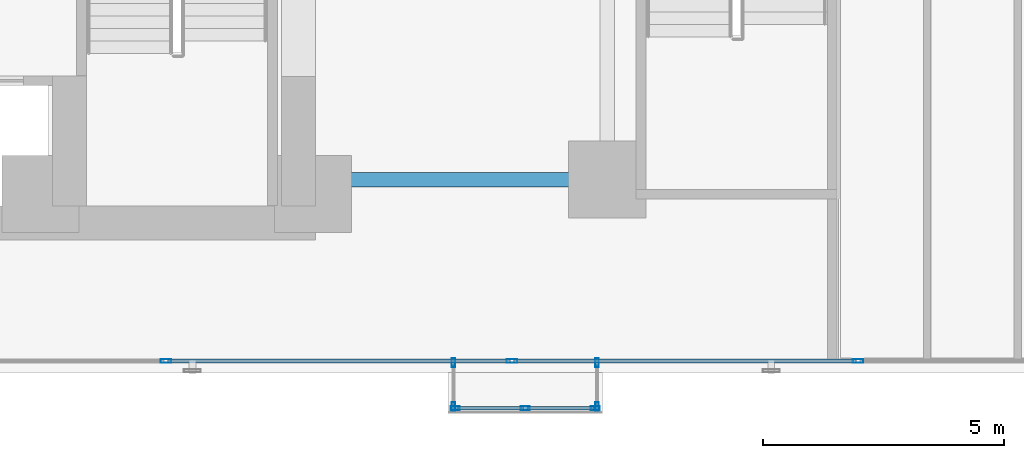
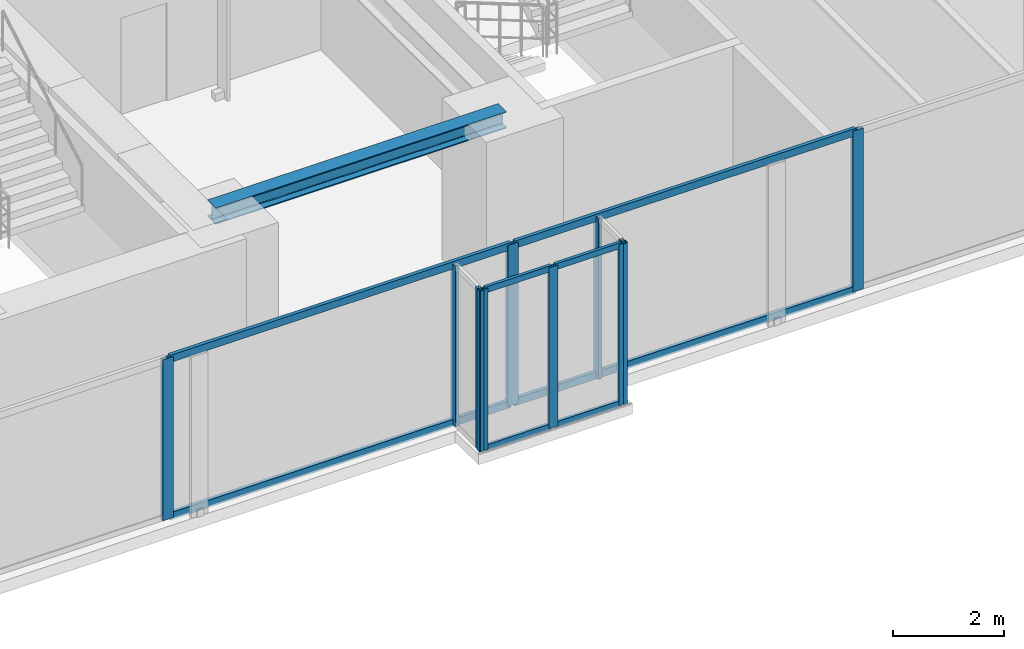
# One storey, part 4 of 27: 18 members, 1 beam, 4 elements without a shape of their own.
"""IFC4 building model written with IfcOpenShell, lengths in metres."""

from ifc_helpers import new_model, si_unit, direction, frame, origin, origin_with_axes, origin_2d, place, context, subcontext, project, spatial, hollow_rectangle, i_section, extrude, source, transform, mapped, material, layer, layer_set, material_profile, profile_set, type_object, element, aggregate, save


model = new_model("IFC4")

# Units and contexts
model_context = context("Model", 3, precision=1e-05, world=origin(), true_north=direction((0.0, 1.0)))
body_context = subcontext(model_context, "Body", "Model", "MODEL_VIEW")
ifc_project = project(units=[si_unit("LENGTHUNIT", "METRE"), si_unit("AREAUNIT", "SQUARE_METRE"), si_unit("VOLUMEUNIT", "CUBIC_METRE"), si_unit("PLANEANGLEUNIT", "RADIAN"), si_unit("MASSUNIT", "GRAM", prefix="KILO")], contexts=[model_context])

# Site, building, storey
site_placement = place(None, origin())
site = spatial("IfcSite", under=ifc_project, at=site_placement, CompositionType="ELEMENT")
building_placement = place(site_placement, origin())
building = spatial("IfcBuilding", under=site, at=building_placement, Name="Kolvaren Waterfront Exchange", CompositionType="ELEMENT")
storey_placement = place(building_placement, frame((0.0, 0.0, 60.0)))
storey = spatial("IfcBuildingStorey", under=building, at=storey_placement, Name="L15", CompositionType="ELEMENT", Elevation=60.0)

# Beam
ifc_material_1 = material(Name="Steel S355", Category="steel")
ifc_material_profile_1 = material_profile(ifc_material_1, i_section(OverallWidth=0.300048828125, OverallDepth=0.360107421875, WebThickness=0.012451171875, FlangeThickness=0.0224609375, FilletRadius=0.027099609375, at=origin_2d()), Name="HEB360")
ifc_profile_set_1 = profile_set([ifc_material_profile_1], Name="Steel S355")
beam_type = type_object("IfcBeamType", Name="STR-BM-HEB360", PredefinedType="SPANDREL", material=ifc_profile_set_1)
beam_placement = place(storey_placement, frame((21.14990234375, 5.199951171875, 3.360107421875), z_axis=(1.0, 0.0, 0.0), x_axis=(0.0, 1.0, 0.0)))
element("IfcBeam", 1, at=beam_placement, inside=storey, type_object=beam_type, Name="L15 east-arm spandrel S1", PredefinedType="SPANDREL", context=body_context, shape_type="SweptSolid", body=[
    extrude(i_section(OverallWidth=0.300048828125, OverallDepth=0.360107421875, WebThickness=0.012451171875, FlangeThickness=0.0224609375, FilletRadius=0.027099609375, at=origin_2d()), origin(), (0.0, 0.0, 1.0), 6.050048828125),
])

# Curtain wall, members
ifc_material_2 = material(Name="Anodised bronze aluminium 6063-T6", Category="aluminium")
ifc_layer_1 = layer(ifc_material_2, 0.219970703125, Name="Anodised bronze aluminium 6063-T6")
ifc_layer_set_1 = layer_set([ifc_layer_1], Name="Anodised bronze aluminium 6063-T6")
curtain_wall_type_1 = type_object("IfcCurtainWallType", Name="ARC-CW-SYS1", PredefinedType="USERDEFINED", material=ifc_layer_set_1)
curtain_wall_1_placement = place(storey_placement, origin())
curtain_wall_1 = element("IfcCurtainWall", 2, at=curtain_wall_1_placement, inside=storey, type_object=curtain_wall_type_1, Name="L15 stick curtain wall CW1 (CW-L15-S)", ObjectType="STICK CURTAIN WALL", PredefinedType="USERDEFINED")
ifc_material_3 = material(Name="Anodised aluminium 6063-T6", Category="aluminium")
ifc_material_profile_2 = material_profile(ifc_material_3, hollow_rectangle(XDim=0.074951171875, YDim=0.159912109375, WallThickness=0.00439453125, at=origin_2d()), Name="ALU-TRN-160x75x4.5")
ifc_profile_set_2 = profile_set([ifc_material_profile_2], Name="Anodised aluminium 6063-T6")
member_type_1 = type_object("IfcMemberType", Name="ARC-CWT-160", PredefinedType="USERDEFINED", material=ifc_profile_set_2)
shared_shape_1 = source(origin_with_axes(), body_context, "Body", "SweptSolid", [
    extrude(hollow_rectangle(XDim=0.074951171875, YDim=0.159912109375, WallThickness=0.00439453125, at=origin_2d()), origin(), (0.0, 0.0, 1.0), 7.094970703125),
])
member_1_placement = place(storey_placement, frame((18.090087890625, 1.43994140625, 0.03759765625), z_axis=(1.0, 0.0, 0.0), x_axis=(0.0, 1.0, 0.0)))
member_1 = element("IfcMember", 3, at=member_1_placement, type_object=member_type_1, Name="CW1 transom 3.1", ObjectType="TRANSOM", PredefinedType="USERDEFINED", context=body_context, shape_type="MappedRepresentation", body=[
    mapped(shared_shape_1, transform((0.0, 0.0, 0.0), x_axis=(1.0, 0.0, 0.0), y_axis=(0.0, 1.0, 0.0), z_axis=(0.0, 0.0, 1.0), scale=1.0)),
])
member_2_placement = place(storey_placement, frame((18.090087890625, 1.43994140625, 3.50244140625), z_axis=(1.0, 0.0, 0.0), x_axis=(0.0, 1.0, 0.0)))
member_2 = element("IfcMember", 4, at=member_2_placement, type_object=member_type_1, Name="CW1 transom 3.2", ObjectType="TRANSOM", PredefinedType="USERDEFINED", context=body_context, shape_type="MappedRepresentation", body=[
    mapped(shared_shape_1, transform((0.0, 0.0, 0.0), x_axis=(1.0, 0.0, 0.0), y_axis=(0.0, 1.0, 0.0), z_axis=(0.0, 0.0, 1.0), scale=1.0)),
])
shared_shape_2 = source(origin_with_axes(), body_context, "Body", "SweptSolid", [
    extrude(hollow_rectangle(XDim=0.074951171875, YDim=0.159912109375, WallThickness=0.00439453125, at=origin_2d()), origin(), (0.0, 0.0, 1.0), 7.09521484375),
])
member_3_placement = place(storey_placement, frame((25.264892578125, 1.43994140625, 0.03759765625), z_axis=(1.0, 0.0, 0.0), x_axis=(0.0, 1.0, 0.0)))
member_3 = element("IfcMember", 5, at=member_3_placement, type_object=member_type_1, Name="CW1 transom 4.1", ObjectType="TRANSOM", PredefinedType="USERDEFINED", context=body_context, shape_type="MappedRepresentation", body=[
    mapped(shared_shape_2, transform((0.0, 0.0, 0.0), x_axis=(1.0, 0.0, 0.0), y_axis=(0.0, 1.0, 0.0), z_axis=(0.0, 0.0, 1.0), scale=1.0)),
])
member_4_placement = place(storey_placement, frame((25.264892578125, 1.43994140625, 3.50244140625), z_axis=(1.0, 0.0, 0.0), x_axis=(0.0, 1.0, 0.0)))
member_4 = element("IfcMember", 6, at=member_4_placement, type_object=member_type_1, Name="CW1 transom 4.2", ObjectType="TRANSOM", PredefinedType="USERDEFINED", context=body_context, shape_type="MappedRepresentation", body=[
    mapped(shared_shape_2, transform((0.0, 0.0, 0.0), x_axis=(1.0, 0.0, 0.0), y_axis=(0.0, 1.0, 0.0), z_axis=(0.0, 0.0, 1.0), scale=1.0)),
])

ifc_layer_2 = layer(ifc_material_2, 0.219970703125, Name="Anodised bronze aluminium 6063-T6")
ifc_layer_set_2 = layer_set([ifc_layer_2], Name="Anodised bronze aluminium 6063-T6")
curtain_wall_type_2 = type_object("IfcCurtainWallType", Name="ARC-CW-SYS3", PredefinedType="USERDEFINED", material=ifc_layer_set_2)
curtain_wall_2_placement = place(storey_placement, origin())
curtain_wall_2 = element("IfcCurtainWall", 7, at=curtain_wall_2_placement, inside=storey, type_object=curtain_wall_type_2, Name="L15 stick curtain wall CW3 (CW-L15-BOX-W)", ObjectType="STICK CURTAIN WALL", PredefinedType="USERDEFINED")
ifc_material_profile_3 = material_profile(ifc_material_2, hollow_rectangle(XDim=0.074951171875, YDim=0.179931640625, WallThickness=0.00439453125, at=origin_2d()), Name="ALU-MUL-180x75x4.5")
ifc_profile_set_3 = profile_set([ifc_material_profile_3], Name="Anodised bronze aluminium 6063-T6")
member_type_2 = type_object("IfcMemberType", Name="ARC-CWM-180", PredefinedType="MULLION", material=ifc_profile_set_3)
shared_shape_3 = source(origin_with_axes(), body_context, "Body", "SweptSolid", [
    extrude(hollow_rectangle(XDim=0.074951171875, YDim=0.179931640625, WallThickness=0.00439453125, at=origin_2d()), origin(), (0.0, 0.0, 1.0), 3.5400390625),
])
member_5_placement = place(storey_placement, frame((24.010009765625, 1.402587890625, 0.0), z_axis=(0.0, 0.0, 1.0), x_axis=(1.0, 0.0, 0.0)))
member_5 = element("IfcMember", 8, at=member_5_placement, type_object=member_type_2, Name="CW3 mullion 1", PredefinedType="MULLION", context=body_context, shape_type="MappedRepresentation", body=[
    mapped(shared_shape_3, transform((0.0, 0.0, 0.0), x_axis=(1.0, 0.0, 0.0), y_axis=(0.0, 1.0, 0.0), z_axis=(0.0, 0.0, 1.0), scale=1.0)),
])
member_6_placement = place(storey_placement, frame((24.010009765625, 0.49755859375, 0.0), z_axis=(0.0, 0.0, 1.0), x_axis=(1.0, 0.0, 0.0)))
member_6 = element("IfcMember", 9, at=member_6_placement, type_object=member_type_2, Name="CW3 mullion 2", PredefinedType="MULLION", context=body_context, shape_type="MappedRepresentation", body=[
    mapped(shared_shape_3, transform((0.0, 0.0, 0.0), x_axis=(1.0, 0.0, 0.0), y_axis=(0.0, 1.0, 0.0), z_axis=(0.0, 0.0, 1.0), scale=1.0)),
])
aggregate(curtain_wall_2, [member_5, member_6])

curtain_wall_3_placement = place(storey_placement, origin())
curtain_wall_3 = element("IfcCurtainWall", 10, at=curtain_wall_3_placement, inside=storey, type_object=curtain_wall_type_2, Name="L15 stick curtain wall CW3 (CW-L15-BOX)", ObjectType="STICK CURTAIN WALL", PredefinedType="USERDEFINED")
member_7_placement = place(storey_placement, frame((24.047607421875, 0.4599609375, 0.0), z_axis=(0.0, 0.0, 1.0), x_axis=(0.0, 1.0, 0.0)))
member_7 = element("IfcMember", 11, at=member_7_placement, type_object=member_type_2, Name="CW3 mullion 1", PredefinedType="MULLION", context=body_context, shape_type="MappedRepresentation", body=[
    mapped(shared_shape_3, transform((0.0, 0.0, 0.0), x_axis=(1.0, 0.0, 0.0), y_axis=(0.0, 1.0, 0.0), z_axis=(0.0, 0.0, 1.0), scale=1.0)),
])
member_8_placement = place(storey_placement, frame((25.5, 0.4599609375, 0.0), z_axis=(0.0, 0.0, 1.0), x_axis=(0.0, 1.0, 0.0)))
member_8 = element("IfcMember", 12, at=member_8_placement, type_object=member_type_2, Name="CW3 mullion 2", PredefinedType="MULLION", context=body_context, shape_type="MappedRepresentation", body=[
    mapped(shared_shape_3, transform((0.0, 0.0, 0.0), x_axis=(1.0, 0.0, 0.0), y_axis=(0.0, 1.0, 0.0), z_axis=(0.0, 0.0, 1.0), scale=1.0)),
])
member_9_placement = place(storey_placement, frame((26.952392578125, 0.4599609375, 0.0), z_axis=(0.0, 0.0, 1.0), x_axis=(0.0, 1.0, 0.0)))
member_9 = element("IfcMember", 13, at=member_9_placement, type_object=member_type_2, Name="CW3 mullion 3", PredefinedType="MULLION", context=body_context, shape_type="MappedRepresentation", body=[
    mapped(shared_shape_3, transform((0.0, 0.0, 0.0), x_axis=(1.0, 0.0, 0.0), y_axis=(0.0, 1.0, 0.0), z_axis=(0.0, 0.0, 1.0), scale=1.0)),
])

curtain_wall_4_placement = place(storey_placement, origin())
curtain_wall_4 = element("IfcCurtainWall", 14, at=curtain_wall_4_placement, inside=storey, type_object=curtain_wall_type_2, Name="L15 stick curtain wall CW3 (CW-L15-BOX-E)", ObjectType="STICK CURTAIN WALL", PredefinedType="USERDEFINED")
member_10_placement = place(storey_placement, frame((26.989990234375, 0.49755859375, 0.0), z_axis=(0.0, 0.0, 1.0), x_axis=(-1.0, 0.0, 0.0)))
member_10 = element("IfcMember", 15, at=member_10_placement, type_object=member_type_2, Name="CW3 mullion 1", PredefinedType="MULLION", context=body_context, shape_type="MappedRepresentation", body=[
    mapped(shared_shape_3, transform((0.0, 0.0, 0.0), x_axis=(1.0, 0.0, 0.0), y_axis=(0.0, 1.0, 0.0), z_axis=(0.0, 0.0, 1.0), scale=1.0)),
])
member_11_placement = place(storey_placement, frame((26.989990234375, 1.402587890625, 0.0), z_axis=(0.0, 0.0, 1.0), x_axis=(-1.0, 0.0, 0.0)))
member_11 = element("IfcMember", 16, at=member_11_placement, type_object=member_type_2, Name="CW3 mullion 2", PredefinedType="MULLION", context=body_context, shape_type="MappedRepresentation", body=[
    mapped(shared_shape_3, transform((0.0, 0.0, 0.0), x_axis=(1.0, 0.0, 0.0), y_axis=(0.0, 1.0, 0.0), z_axis=(0.0, 0.0, 1.0), scale=1.0)),
])
aggregate(curtain_wall_4, [member_10, member_11])

# Member
ifc_material_profile_4 = material_profile(ifc_material_2, hollow_rectangle(XDim=0.06494140625, YDim=0.1298828125, WallThickness=0.00390625, at=origin_2d()), Name="ALU-TRN-130x65x4")
ifc_profile_set_4 = profile_set([ifc_material_profile_4], Name="Anodised bronze aluminium 6063-T6")
member_type_3 = type_object("IfcMemberType", Name="ARC-CWT-130", PredefinedType="USERDEFINED", material=ifc_profile_set_4)
shared_shape_4 = source(origin_with_axes(), body_context, "Body", "SweptSolid", [
    extrude(hollow_rectangle(XDim=0.06494140625, YDim=0.1298828125, WallThickness=0.00390625, at=origin_2d()), origin(), (0.0, 0.0, 1.0), 1.37744140625),
])
member_12_placement = place(storey_placement, frame((24.0849609375, 0.4599609375, 0.032470703125), z_axis=(1.0, 0.0, 0.0), x_axis=(0.0, 1.0, 0.0)))
member_12 = element("IfcMember", 17, at=member_12_placement, type_object=member_type_3, Name="CW3 transom 1.1", ObjectType="TRANSOM", PredefinedType="USERDEFINED", context=body_context, shape_type="MappedRepresentation", body=[
    mapped(shared_shape_4, transform((0.0, 0.0, 0.0), x_axis=(1.0, 0.0, 0.0), y_axis=(0.0, 1.0, 0.0), z_axis=(0.0, 0.0, 1.0), scale=1.0)),
])

member_13_placement = place(storey_placement, frame((24.0849609375, 0.4599609375, 3.507568359375), z_axis=(1.0, 0.0, 0.0), x_axis=(0.0, 1.0, 0.0)))
member_13 = element("IfcMember", 18, at=member_13_placement, type_object=member_type_3, Name="CW3 transom 1.2", ObjectType="TRANSOM", PredefinedType="USERDEFINED", context=body_context, shape_type="MappedRepresentation", body=[
    mapped(shared_shape_4, transform((0.0, 0.0, 0.0), x_axis=(1.0, 0.0, 0.0), y_axis=(0.0, 1.0, 0.0), z_axis=(0.0, 0.0, 1.0), scale=1.0)),
])

member_14_placement = place(storey_placement, frame((25.53759765625, 0.4599609375, 0.032470703125), z_axis=(1.0, 0.0, 0.0), x_axis=(0.0, 1.0, 0.0)))
member_14 = element("IfcMember", 19, at=member_14_placement, type_object=member_type_3, Name="CW3 transom 2.1", ObjectType="TRANSOM", PredefinedType="USERDEFINED", context=body_context, shape_type="MappedRepresentation", body=[
    mapped(shared_shape_4, transform((0.0, 0.0, 0.0), x_axis=(1.0, 0.0, 0.0), y_axis=(0.0, 1.0, 0.0), z_axis=(0.0, 0.0, 1.0), scale=1.0)),
])

member_15_placement = place(storey_placement, frame((25.53759765625, 0.4599609375, 3.507568359375), z_axis=(1.0, 0.0, 0.0), x_axis=(0.0, 1.0, 0.0)))
member_15 = element("IfcMember", 20, at=member_15_placement, type_object=member_type_3, Name="CW3 transom 2.2", ObjectType="TRANSOM", PredefinedType="USERDEFINED", context=body_context, shape_type="MappedRepresentation", body=[
    mapped(shared_shape_4, transform((0.0, 0.0, 0.0), x_axis=(1.0, 0.0, 0.0), y_axis=(0.0, 1.0, 0.0), z_axis=(0.0, 0.0, 1.0), scale=1.0)),
])

aggregate(curtain_wall_3, [member_7, member_8, member_9, member_12, member_13, member_14, member_15])

ifc_material_profile_5 = material_profile(ifc_material_3, hollow_rectangle(XDim=0.080078125, YDim=0.219970703125, WallThickness=0.0048828125, at=origin_2d()), Name="ALU-MUL-220x80x5")
ifc_profile_set_5 = profile_set([ifc_material_profile_5], Name="Anodised aluminium 6063-T6")
member_type_4 = type_object("IfcMemberType", Name="ARC-CWM-220", PredefinedType="MULLION", material=ifc_profile_set_5)
shared_shape_5 = source(origin_with_axes(), body_context, "Body", "SweptSolid", [
    extrude(hollow_rectangle(XDim=0.080078125, YDim=0.219970703125, WallThickness=0.0048828125, at=origin_2d()), origin(), (0.0, 0.0, 1.0), 3.5400390625),
])
member_16_placement = place(storey_placement, frame((18.050048828125, 1.43994140625, 0.0), z_axis=(0.0, 0.0, 1.0), x_axis=(0.0, 1.0, 0.0)))
member_16 = element("IfcMember", 21, at=member_16_placement, type_object=member_type_4, Name="CW1 mullion 3", PredefinedType="MULLION", context=body_context, shape_type="MappedRepresentation", body=[
    mapped(shared_shape_5, transform((0.0, 0.0, 0.0), x_axis=(1.0, 0.0, 0.0), y_axis=(0.0, 1.0, 0.0), z_axis=(0.0, 0.0, 1.0), scale=1.0)),
])

member_17_placement = place(storey_placement, frame((25.22509765625, 1.43994140625, 0.0), z_axis=(0.0, 0.0, 1.0), x_axis=(0.0, 1.0, 0.0)))
member_17 = element("IfcMember", 22, at=member_17_placement, type_object=member_type_4, Name="CW1 mullion 4", PredefinedType="MULLION", context=body_context, shape_type="MappedRepresentation", body=[
    mapped(shared_shape_5, transform((0.0, 0.0, 0.0), x_axis=(1.0, 0.0, 0.0), y_axis=(0.0, 1.0, 0.0), z_axis=(0.0, 0.0, 1.0), scale=1.0)),
])

member_18_placement = place(storey_placement, frame((32.39990234375, 1.43994140625, 0.0), z_axis=(0.0, 0.0, 1.0), x_axis=(0.0, 1.0, 0.0)))
member_18 = element("IfcMember", 23, at=member_18_placement, type_object=member_type_4, Name="CW1 mullion 5", PredefinedType="MULLION", context=body_context, shape_type="MappedRepresentation", body=[
    mapped(shared_shape_5, transform((0.0, 0.0, 0.0), x_axis=(1.0, 0.0, 0.0), y_axis=(0.0, 1.0, 0.0), z_axis=(0.0, 0.0, 1.0), scale=1.0)),
])

aggregate(curtain_wall_1, [member_16, member_17, member_18, member_1, member_2, member_3, member_4])

save(model, "model.ifc")
